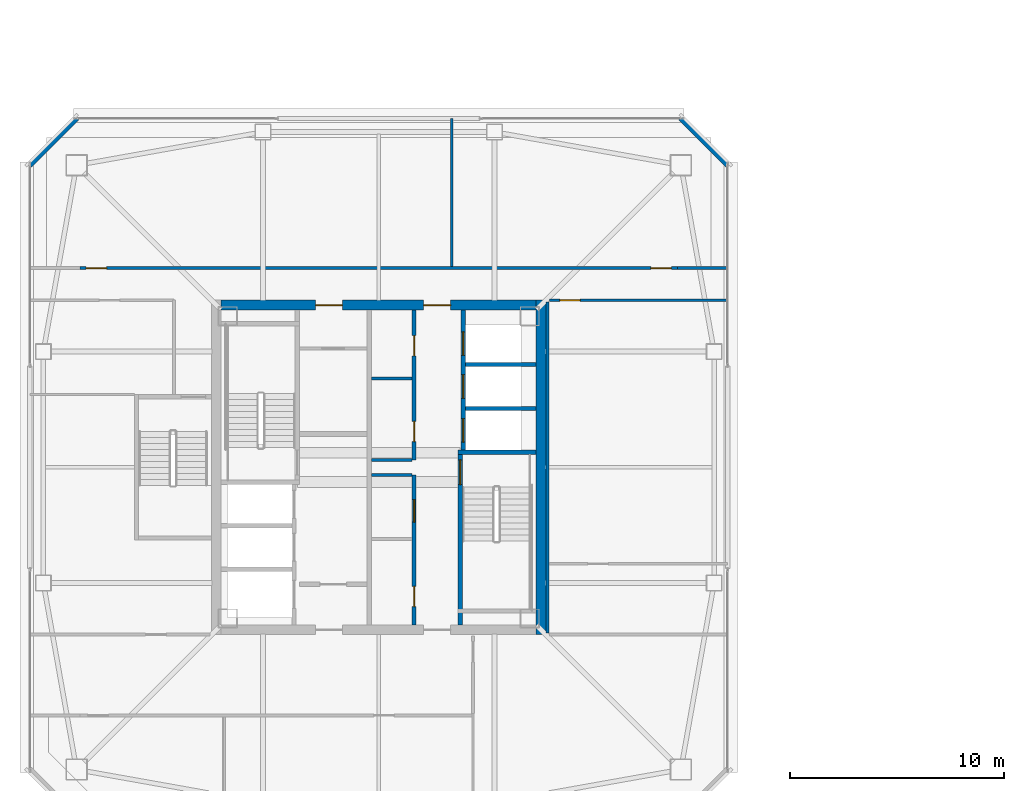
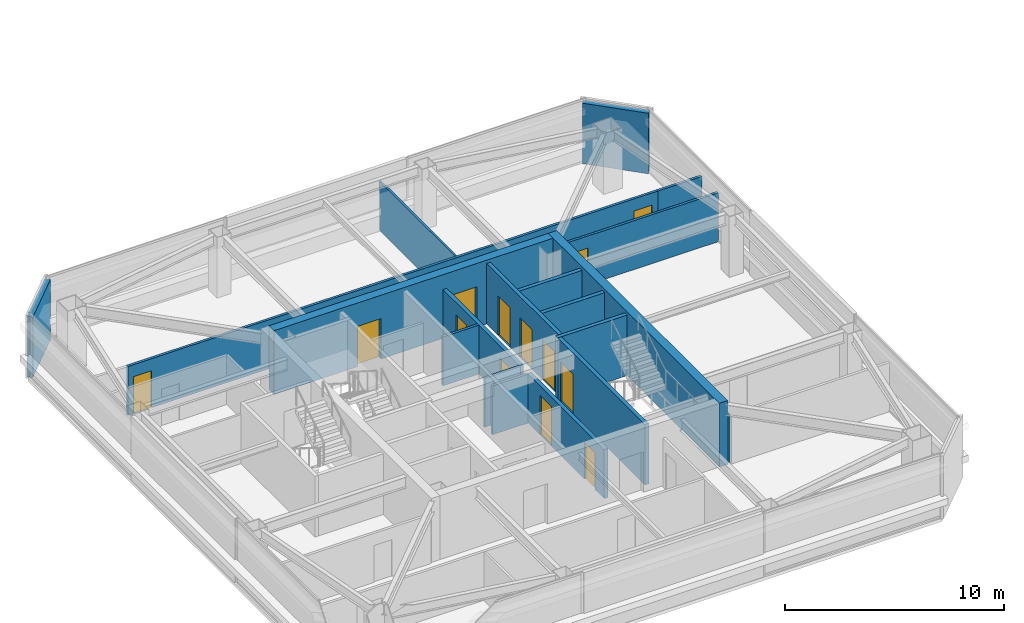
# One storey, part 30 of 39: 19 walls, 13 doors, 13 openings.
"""IFC4 building model written with IfcOpenShell, lengths in metres."""

from ifc_helpers import new_model, si_unit, direction, frame, frame_2d, origin, place, context, subcontext, project, spatial, rectangle, extrude, material, layer, layer_set, type_object, element, fill, save


model = new_model("IFC4")

# Units and contexts
model_context = context("Model", 3, precision=1e-05, world=origin(), true_north=direction((0.0, 1.0)))
body_context = subcontext(model_context, "Body", "Model", "MODEL_VIEW")
ifc_project = project(units=[si_unit("LENGTHUNIT", "METRE"), si_unit("AREAUNIT", "SQUARE_METRE"), si_unit("VOLUMEUNIT", "CUBIC_METRE"), si_unit("PLANEANGLEUNIT", "RADIAN"), si_unit("MASSUNIT", "GRAM", prefix="KILO")], contexts=[model_context])

# Site, building, storey
site_placement = place(None, origin())
site = spatial("IfcSite", under=ifc_project, at=site_placement, CompositionType="ELEMENT")
building_placement = place(site_placement, origin())
building = spatial("IfcBuilding", under=site, at=building_placement, Name="Tashvorn Skyway Center", CompositionType="ELEMENT")
storey_placement = place(building_placement, frame((0.0, 0.0, 207.75)))
storey = spatial("IfcBuildingStorey", under=building, at=storey_placement, Name="L56", CompositionType="ELEMENT", Elevation=207.75)

# Wall
ifc_material_1 = material(Name="Concrete C50/60", Category="concrete")
ifc_layer_1 = layer(ifc_material_1, 0.449951171875)
ifc_layer_set_1 = layer_set([ifc_layer_1], Name="Concrete C50/60")
wall_type_1 = type_object("IfcWallType", Name="WALL-CORE-450", PredefinedType="SHEAR", material=ifc_layer_set_1)
wall_1_placement = place(storey_placement, frame((49.574951171875, 39.800048828125, 0.0), z_axis=(0.0, 0.0, 1.0), x_axis=(0.0, -1.0, 0.0)))
element("IfcWall", 1, at=wall_1_placement, inside=storey, type_object=wall_type_1, Name="Tower 1 L56 East Core Shear Wall", PredefinedType="SHEAR", context=body_context, shape_type="SweptSolid", body=[
    extrude(rectangle(XDim=15.60009765625, YDim=0.449951171875, at=frame_2d((7.800048828125, 0.0))), origin(), (0.0, 0.0, 1.0), 3.550048828125),
])

# Wall, openings, doors
wall_2_placement = place(storey_placement, frame((34.64990234375, 39.574951171875, 0.0), z_axis=(0.0, 0.0, 1.0), x_axis=(1.0, 0.0, 0.0)))
wall_2 = element("IfcWall", 2, at=wall_2_placement, inside=storey, type_object=wall_type_1, Name="Tower 1 L56 North Core Shear Wall", PredefinedType="SHEAR", context=body_context, shape_type="SweptSolid", body=[
    extrude(rectangle(XDim=14.7001953125, YDim=0.449951171875, at=frame_2d((7.35009765625, 0.0))), origin(), (0.0, 0.0, 1.0), 3.550048828125),
])
opening_1_placement = place(wall_2_placement, frame((4.39990234375, 0.0, 0.0)))
opening_1 = element("IfcOpeningElement", 3, at=opening_1_placement, cuts=wall_2, Name="Opening D-FFL-1250", PredefinedType="OPENING", context=body_context, shape_type="SweptSolid", body=[
    extrude(rectangle(XDim=1.25, YDim=2.25, at=frame_2d((0.625, 1.125))), frame((0.0, 0.23486328125, 0.0), z_axis=(0.0, -1.0, 0.0), x_axis=(1.0, 0.0, 0.0)), (0.0, 0.0, 1.0), 0.469970703125),
])
opening_2_placement = place(wall_2_placement, frame((9.449951171875, 0.0, 0.0)))
opening_2 = element("IfcOpeningElement", 4, at=opening_2_placement, cuts=wall_2, Name="Opening D-FFL-1250", PredefinedType="OPENING", context=body_context, shape_type="SweptSolid", body=[
    extrude(rectangle(XDim=1.25, YDim=2.25, at=frame_2d((0.625, 1.125))), frame((0.0, 0.23486328125, 0.0), z_axis=(0.0, -1.0, 0.0), x_axis=(1.0, 0.0, 0.0)), (0.0, 0.0, 1.0), 0.469970703125),
])
ifc_material_2 = material(Name="Hollow galvanized steel fire door assembly", Category="steel")
door_type_1 = type_object("IfcDoorType", Name="DOOR-FFL-1250", OperationType="NOTDEFINED", PredefinedType="DOOR", material=ifc_material_2)
door_1_placement = place(opening_1_placement, origin())
door_1 = element("IfcDoor", 5, at=door_1_placement, inside=storey, type_object=door_type_1, Name="Tower 1 L56 Core North Service Lobby Door", OperationType="SINGLE_SWING_LEFT", OverallHeight=2.25, OverallWidth=1.25, PredefinedType="DOOR", context=body_context, shape_type="SweptSolid", body=[
    extrude(rectangle(XDim=1.25, YDim=2.25, at=frame_2d((0.625, 1.125))), frame((0.0, 0.02490234375, 0.0), z_axis=(0.0, -1.0, 0.0), x_axis=(1.0, 0.0, 0.0)), (0.0, 0.0, 1.0), 0.050048828125),
])
fill(opening_1, door_1)
door_2_placement = place(opening_2_placement, origin())
door_2 = element("IfcDoor", 6, at=door_2_placement, inside=storey, type_object=door_type_1, Name="Tower 1 L56 Core North Lift Lobby Door", OperationType="SINGLE_SWING_RIGHT", OverallHeight=2.25, OverallWidth=1.25, PredefinedType="DOOR", context=body_context, shape_type="SweptSolid", body=[
    extrude(rectangle(XDim=1.25, YDim=2.25, at=frame_2d((0.625, 1.125))), frame((0.0, 0.02490234375, 0.0), z_axis=(0.0, -1.0, 0.0), x_axis=(1.0, 0.0, 0.0)), (0.0, 0.0, 1.0), 0.050048828125),
])
fill(opening_2, door_2)

# Walls
ifc_material_3 = material(Name="Precast concrete C40/50", Category="concrete")
ifc_layer_2 = layer(ifc_material_3, 0.280029296875)
ifc_layer_set_2 = layer_set([ifc_layer_2], Name="Precast concrete C40/50")
wall_type_2 = type_object("IfcWallType", Name="WALL-EXT-280", PredefinedType="SOLIDWALL", material=ifc_layer_set_2)
for number, where, z_axis, x_axis, name in (
    (7, (25.699951171875, 46.10009765625, 0.0), (0.0, 0.0, 1.0), (0.707106781187, 0.707106781187, 0.0), "Tower 1 L56 NW Precast Chamfer Wall"),
    (8, (56.10009765625, 48.300048828125, 0.0), (0.0, 0.0, 1.0), (0.707106781187, -0.707106781187, 0.0), "Tower 1 L56 NE Precast Chamfer Wall"),
):
    element("IfcWall", number, at=place(storey_placement, frame(where, z_axis=z_axis, x_axis=x_axis)), inside=storey, type_object=wall_type_2, Name=name, PredefinedType="SOLIDWALL", context=body_context, shape_type="SweptSolid", body=[
        extrude(rectangle(XDim=3.111083984375, YDim=0.280029296875, at=frame_2d((1.5556640625, 0.0))), origin(), (0.0, 0.0, 1.0), 3.3701171875),
    ])
ifc_material_4 = material(Name="Gypsum board on cold-formed steel stud framing", Category="steel")
ifc_layer_3 = layer(ifc_material_4, 0.110107421875)
ifc_layer_set_3 = layer_set([ifc_layer_3], Name="Gypsum board on cold-formed steel stud framing")
wall_type_3 = type_object("IfcWallType", Name="WALL-PART-110", PredefinedType="PARTITIONING", material=ifc_layer_set_3)
wall_3_placement = place(storey_placement, frame((45.39990234375, 41.3798828125, 0.0), z_axis=(0.0, 0.0, 1.0), x_axis=(0.0, 1.0, 0.0)))
element("IfcWall", 9, at=wall_3_placement, inside=storey, type_object=wall_type_3, Name="Tower 1 L56 North Suite Partition 1", PredefinedType="PARTITIONING", context=body_context, shape_type="SweptSolid", body=[
    extrude(rectangle(XDim=6.900146484375, YDim=0.110107421875, at=frame_2d((3.4501953125, 0.0))), origin(), (0.0, 0.0, 1.0), 2.722900390625),
])

# Wall, openings, doors
ifc_layer_4 = layer(ifc_material_4, 0.135009765625)
ifc_layer_set_4 = layer_set([ifc_layer_4], Name="Gypsum board on cold-formed steel stud framing")
wall_type_4 = type_object("IfcWallType", Name="WALL-PART-135", PredefinedType="PARTITIONING", material=ifc_layer_set_4)
wall_4_placement = place(storey_placement, frame((28.050048828125, 41.300048828125, 0.0), z_axis=(0.0, 0.0, 1.0), x_axis=(1.0, 0.0, 0.0)))
wall_4 = element("IfcWall", 10, at=wall_4_placement, inside=storey, type_object=wall_type_4, Name="Tower 1 L56 North Suite Wall", PredefinedType="PARTITIONING", context=body_context, shape_type="SweptSolid", body=[
    extrude(rectangle(XDim=27.89990234375, YDim=0.135009765625, at=frame_2d((13.949951171875, 0.0))), origin(), (0.0, 0.0, 1.0), 2.722900390625),
])
opening_3_placement = place(wall_4_placement, frame((0.300048828125, 0.0, 0.0)))
opening_3 = element("IfcOpeningElement", 11, at=opening_3_placement, cuts=wall_4, Name="Opening D-INT-950", PredefinedType="OPENING", context=body_context, shape_type="SweptSolid", body=[
    extrude(rectangle(XDim=0.949951171875, YDim=2.050048828125, at=frame_2d((0.47509765625, 1.02490234375))), frame((0.0, 0.077392578125, 0.0), z_axis=(0.0, -1.0, 0.0), x_axis=(1.0, 0.0, 0.0)), (0.0, 0.0, 1.0), 0.155029296875),
])
opening_4_placement = place(wall_4_placement, frame((26.64990234375, 0.0, 0.0)))
opening_4 = element("IfcOpeningElement", 12, at=opening_4_placement, cuts=wall_4, Name="Opening D-INT-950", PredefinedType="OPENING", context=body_context, shape_type="SweptSolid", body=[
    extrude(rectangle(XDim=0.949951171875, YDim=2.050048828125, at=frame_2d((0.47509765625, 1.02490234375))), frame((0.0, 0.077392578125, 0.0), z_axis=(0.0, -1.0, 0.0), x_axis=(1.0, 0.0, 0.0)), (0.0, 0.0, 1.0), 0.155029296875),
])
ifc_material_5 = material(Name="Solid-core architectural oak veneer door")
door_type_2 = type_object("IfcDoorType", Name="DOOR-INT-950", OperationType="NOTDEFINED", PredefinedType="DOOR", material=ifc_material_5)
door_3_placement = place(opening_3_placement, origin())
door_3 = element("IfcDoor", 13, at=door_3_placement, inside=storey, type_object=door_type_2, Name="Tower 1 L56 Wellness Clinic Door", OperationType="SINGLE_SWING_LEFT", OverallHeight=2.050048828125, OverallWidth=0.949951171875, PredefinedType="DOOR", context=body_context, shape_type="SweptSolid", body=[
    extrude(rectangle(XDim=0.949951171875, YDim=2.050048828125, at=frame_2d((0.47509765625, 1.02490234375))), frame((0.0, 0.02490234375, 0.0), z_axis=(0.0, -1.0, 0.0), x_axis=(1.0, 0.0, 0.0)), (0.0, 0.0, 1.0), 0.050048828125),
])
fill(opening_3, door_3)
door_4_placement = place(opening_4_placement, origin())
door_4 = element("IfcDoor", 14, at=door_4_placement, inside=storey, type_object=door_type_2, Name="Tower 1 L56 Wellness Clinic Door", OperationType="SINGLE_SWING_RIGHT", OverallHeight=2.050048828125, OverallWidth=0.949951171875, PredefinedType="DOOR", context=body_context, shape_type="SweptSolid", body=[
    extrude(rectangle(XDim=0.949951171875, YDim=2.050048828125, at=frame_2d((0.47509765625, 1.02490234375))), frame((0.0, 0.02490234375, 0.0), z_axis=(0.0, -1.0, 0.0), x_axis=(1.0, 0.0, 0.0)), (0.0, 0.0, 1.0), 0.050048828125),
])
fill(opening_4, door_4)

# Walls
wall_5_placement = place(storey_placement, frame((55.949951171875, 41.300048828125, 0.0), z_axis=(0.0, 0.0, 1.0), x_axis=(1.0, 0.0, 0.0)))
element("IfcWall", 15, at=wall_5_placement, inside=storey, type_object=wall_type_4, Name="Tower 1 L56 North-East Suite South Wall", PredefinedType="PARTITIONING", context=body_context, shape_type="SweptSolid", body=[
    extrude(rectangle(XDim=2.330078125, YDim=0.135009765625, at=frame_2d((1.1650390625, 0.0))), origin(), (0.0, 0.0, 1.0), 2.722900390625),
])
wall_6_placement = place(storey_placement, frame((49.8798828125, 39.719970703125, 0.0), z_axis=(0.0, 0.0, 1.0), x_axis=(0.0, -1.0, 0.0)))
element("IfcWall", 16, at=wall_6_placement, inside=storey, type_object=wall_type_4, Name="Tower 1 L56 East Inner Suite Wall", PredefinedType="PARTITIONING", context=body_context, shape_type="SweptSolid", body=[
    extrude(rectangle(XDim=15.43994140625, YDim=0.135009765625, at=frame_2d((7.719970703125, 0.0))), origin(), (0.0, 0.0, 1.0), 2.722900390625),
])

# Wall, opening, door
wall_7_placement = place(storey_placement, frame((58.280029296875, 39.800048828125, 0.0), z_axis=(0.0, 0.0, 1.0), x_axis=(-1.0, 0.0, 0.0)))
wall_7 = element("IfcWall", 17, at=wall_7_placement, inside=storey, type_object=wall_type_4, Name="Tower 1 L56 East Suite North Wall", PredefinedType="PARTITIONING", context=body_context, shape_type="SweptSolid", body=[
    extrude(rectangle(XDim=8.320068359375, YDim=0.135009765625, at=frame_2d((4.16015625, 0.0))), origin(), (0.0, 0.0, 1.0), 2.722900390625),
])
opening_5_placement = place(wall_7_placement, frame((6.8798828125, 0.0, 0.0)))
opening_5 = element("IfcOpeningElement", 18, at=opening_5_placement, cuts=wall_7, Name="Opening D-INT-950", PredefinedType="OPENING", context=body_context, shape_type="SweptSolid", body=[
    extrude(rectangle(XDim=0.949951171875, YDim=2.050048828125, at=frame_2d((0.47509765625, 1.02490234375))), frame((0.0, 0.077392578125, 0.0), z_axis=(0.0, -1.0, 0.0), x_axis=(1.0, 0.0, 0.0)), (0.0, 0.0, 1.0), 0.155029296875),
])
door_5_placement = place(opening_5_placement, origin())
door_5 = element("IfcDoor", 19, at=door_5_placement, inside=storey, type_object=door_type_2, Name="Tower 1 L56 Operations Control Room Door", OperationType="SINGLE_SWING_RIGHT", OverallHeight=2.050048828125, OverallWidth=0.949951171875, PredefinedType="DOOR", context=body_context, shape_type="SweptSolid", body=[
    extrude(rectangle(XDim=0.949951171875, YDim=2.050048828125, at=frame_2d((0.47509765625, 1.02490234375))), frame((0.0, 0.02490234375, 0.0), z_axis=(0.0, -1.0, 0.0), x_axis=(1.0, 0.0, 0.0)), (0.0, 0.0, 1.0), 0.050048828125),
])
fill(opening_5, door_5)

# Walls
ifc_layer_5 = layer(ifc_material_4, 0.135009765625)
ifc_layer_set_5 = layer_set([ifc_layer_5], Name="Gypsum board on cold-formed steel stud framing")
wall_type_5 = type_object("IfcWallType", Name="WALL-RATED-135", PredefinedType="PARTITIONING", material=ifc_layer_set_5)
for number, where, z_axis, x_axis, name in (
    (20, (41.669921875, 31.64990234375, 0.0), (0.0, 0.0, 1.0), (1.0, 0.0, 0.0), "Tower 1 L56 Core Room Partition"),
    (21, (41.669921875, 32.35009765625, 0.0), (0.0, 0.0, 1.0), (1.0, 0.0, 0.0), "Tower 1 L56 Core Room Partition"),
    (22, (41.669921875, 36.14990234375, 0.0), (0.0, 0.0, 1.0), (1.0, 0.0, 0.0), "Tower 1 L56 Freed Mid-Rise Partition"),
):
    element("IfcWall", number, at=place(storey_placement, frame(where, z_axis=z_axis, x_axis=x_axis)), inside=storey, type_object=wall_type_5, Name=name, PredefinedType="PARTITIONING", context=body_context, shape_type="SweptSolid", body=[
        extrude(rectangle(XDim=1.880126953125, YDim=0.135009765625, at=frame_2d((0.93994140625, 0.0))), origin(), (0.0, 0.0, 1.0), 2.722900390625),
    ])
ifc_material_6 = material(Name="Concrete C40/50", Category="concrete")
ifc_layer_6 = layer(ifc_material_6, 0.199951171875)
ifc_layer_set_6 = layer_set([ifc_layer_6], Name="Concrete C40/50")
wall_type_6 = type_object("IfcWallType", Name="WALL-SHAFT-200", PredefinedType="SOLIDWALL", material=ifc_layer_set_6)
for number, where, z_axis, x_axis, name in (
    (23, (46.050048828125, 34.75, 0.0), (0.0, 0.0, 1.0), (1.0, 0.0, 0.0), "Tower 1 L56 High-Rise Shaft Divider"),
    (24, (46.050048828125, 36.800048828125, 0.0), (0.0, 0.0, 1.0), (1.0, 0.0, 0.0), "Tower 1 L56 High-Rise Shaft Divider"),
):
    element("IfcWall", number, at=place(storey_placement, frame(where, z_axis=z_axis, x_axis=x_axis)), inside=storey, type_object=wall_type_6, Name=name, PredefinedType="SOLIDWALL", context=body_context, shape_type="SweptSolid", body=[
        extrude(rectangle(XDim=3.300048828125, YDim=0.199951171875, at=frame_2d((1.64990234375, 0.0))), origin(), (0.0, 0.0, 1.0), 3.3701171875),
    ])

# Wall, openings, doors
wall_8_placement = place(storey_placement, frame((43.64990234375, 24.64990234375, 0.0), z_axis=(0.0, 0.0, 1.0), x_axis=(0.0, 1.0, 0.0)))
wall_8 = element("IfcWall", 25, at=wall_8_placement, inside=storey, type_object=wall_type_6, Name="Tower 1 L56 Low-Rise Core Wall", PredefinedType="SOLIDWALL", context=body_context, shape_type="SweptSolid", body=[
    extrude(rectangle(XDim=7.0, YDim=0.199951171875, at=frame_2d((3.5, 0.0))), origin(), (0.0, 0.0, 1.0), 2.722900390625),
])
opening_6_placement = place(wall_8_placement, frame((0.85009765625, 0.0, 0.0)))
opening_6 = element("IfcOpeningElement", 26, at=opening_6_placement, cuts=wall_8, Name="Opening D-RT-950", PredefinedType="OPENING", context=body_context, shape_type="SweptSolid", body=[
    extrude(rectangle(XDim=0.949951171875, YDim=2.050048828125, at=frame_2d((0.47509765625, 1.02490234375))), frame((0.0, 0.10986328125, 0.0), z_axis=(0.0, -1.0, 0.0), x_axis=(1.0, 0.0, 0.0)), (0.0, 0.0, 1.0), 0.219970703125),
])
opening_7_placement = place(wall_8_placement, frame((4.800048828125, 0.0, 0.0)))
opening_7 = element("IfcOpeningElement", 27, at=opening_7_placement, cuts=wall_8, Name="Opening D-RT-1050", PredefinedType="OPENING", context=body_context, shape_type="SweptSolid", body=[
    extrude(rectangle(XDim=1.050048828125, YDim=2.199951171875, at=frame_2d((0.52490234375, 1.10009765625))), frame((0.0, 0.10986328125, 0.0), z_axis=(0.0, -1.0, 0.0), x_axis=(1.0, 0.0, 0.0)), (0.0, 0.0, 1.0), 0.219970703125),
])
door_type_3 = type_object("IfcDoorType", Name="DOOR-RATED-1050", OperationType="NOTDEFINED", PredefinedType="DOOR", material=ifc_material_2)
door_6_placement = place(opening_7_placement, origin())
door_6 = element("IfcDoor", 28, at=door_6_placement, inside=storey, type_object=door_type_3, Name="Tower 1 L56 Freed Core Room Door", OperationType="SINGLE_SWING_RIGHT", OverallHeight=2.199951171875, OverallWidth=1.050048828125, PredefinedType="DOOR", context=body_context, shape_type="SweptSolid", body=[
    extrude(rectangle(XDim=1.050048828125, YDim=2.199951171875, at=frame_2d((0.52490234375, 1.10009765625))), frame((0.0, 0.02490234375, 0.0), z_axis=(0.0, -1.0, 0.0), x_axis=(1.0, 0.0, 0.0)), (0.0, 0.0, 1.0), 0.050048828125),
])
fill(opening_7, door_6)
door_type_4 = type_object("IfcDoorType", Name="DOOR-RATED-950", OperationType="NOTDEFINED", PredefinedType="DOOR", material=ifc_material_2)
door_7_placement = place(opening_6_placement, origin())
door_7 = element("IfcDoor", 29, at=door_7_placement, inside=storey, type_object=door_type_4, Name="Tower 1 L56 Core Print Room Door", OperationType="SINGLE_SWING_LEFT", OverallHeight=2.050048828125, OverallWidth=0.949951171875, PredefinedType="DOOR", context=body_context, shape_type="SweptSolid", body=[
    extrude(rectangle(XDim=0.949951171875, YDim=2.050048828125, at=frame_2d((0.47509765625, 1.02490234375))), frame((0.0, 0.02490234375, 0.0), z_axis=(0.0, -1.0, 0.0), x_axis=(1.0, 0.0, 0.0)), (0.0, 0.0, 1.0), 0.050048828125),
])
fill(opening_6, door_7)

wall_9_placement = place(storey_placement, frame((43.64990234375, 32.35009765625, 0.0), z_axis=(0.0, 0.0, 1.0), x_axis=(0.0, 1.0, 0.0)))
wall_9 = element("IfcWall", 30, at=wall_9_placement, inside=storey, type_object=wall_type_6, Name="Tower 1 L56 Mid-Rise Core Wall", PredefinedType="SOLIDWALL", context=body_context, shape_type="SweptSolid", body=[
    extrude(rectangle(XDim=7.0, YDim=0.199951171875, at=frame_2d((3.5, 0.0))), origin(), (0.0, 0.0, 1.0), 2.722900390625),
])
opening_8_placement = place(wall_9_placement, frame((0.85009765625, 0.0, 0.0)))
opening_8 = element("IfcOpeningElement", 31, at=opening_8_placement, cuts=wall_9, Name="Opening D-RT-950", PredefinedType="OPENING", context=body_context, shape_type="SweptSolid", body=[
    extrude(rectangle(XDim=0.949951171875, YDim=2.050048828125, at=frame_2d((0.47509765625, 1.02490234375))), frame((0.0, 0.10986328125, 0.0), z_axis=(0.0, -1.0, 0.0), x_axis=(1.0, 0.0, 0.0)), (0.0, 0.0, 1.0), 0.219970703125),
])
opening_9_placement = place(wall_9_placement, frame((4.85009765625, 0.0, 0.0)))
opening_9 = element("IfcOpeningElement", 32, at=opening_9_placement, cuts=wall_9, Name="Opening D-RT-950", PredefinedType="OPENING", context=body_context, shape_type="SweptSolid", body=[
    extrude(rectangle(XDim=0.949951171875, YDim=2.050048828125, at=frame_2d((0.47509765625, 1.02490234375))), frame((0.0, 0.10986328125, 0.0), z_axis=(0.0, -1.0, 0.0), x_axis=(1.0, 0.0, 0.0)), (0.0, 0.0, 1.0), 0.219970703125),
])
door_8_placement = place(opening_8_placement, origin())
door_8 = element("IfcDoor", 33, at=door_8_placement, inside=storey, type_object=door_type_4, Name="Tower 1 L56 Core IT Room Door", OperationType="SINGLE_SWING_RIGHT", OverallHeight=2.050048828125, OverallWidth=0.949951171875, PredefinedType="DOOR", context=body_context, shape_type="SweptSolid", body=[
    extrude(rectangle(XDim=0.949951171875, YDim=2.050048828125, at=frame_2d((0.47509765625, 1.02490234375))), frame((0.0, 0.02490234375, 0.0), z_axis=(0.0, -1.0, 0.0), x_axis=(1.0, 0.0, 0.0)), (0.0, 0.0, 1.0), 0.050048828125),
])
fill(opening_8, door_8)
door_9_placement = place(opening_9_placement, origin())
door_9 = element("IfcDoor", 34, at=door_9_placement, inside=storey, type_object=door_type_4, Name="Tower 1 L56 Core Catering Pantry Door", OperationType="SINGLE_SWING_LEFT", OverallHeight=2.050048828125, OverallWidth=0.949951171875, PredefinedType="DOOR", context=body_context, shape_type="SweptSolid", body=[
    extrude(rectangle(XDim=0.949951171875, YDim=2.050048828125, at=frame_2d((0.47509765625, 1.02490234375))), frame((0.0, 0.02490234375, 0.0), z_axis=(0.0, -1.0, 0.0), x_axis=(1.0, 0.0, 0.0)), (0.0, 0.0, 1.0), 0.050048828125),
])
fill(opening_9, door_9)

# Wall, opening, door
ifc_layer_7 = layer(ifc_material_6, 0.199951171875)
ifc_layer_set_7 = layer_set([ifc_layer_7], Name="Concrete C40/50")
wall_type_7 = type_object("IfcWallType", Name="WALL-STSHF-200", PredefinedType="SHEAR", material=ifc_layer_set_7)
wall_10_placement = place(storey_placement, frame((45.800048828125, 32.800048828125, 0.0), z_axis=(0.0, 0.0, 1.0), x_axis=(0.0, -1.0, 0.0)))
wall_10 = element("IfcWall", 35, at=wall_10_placement, inside=storey, type_object=wall_type_7, Name="Tower 1 L56 Stair 2 Enclosure Wall", PredefinedType="SHEAR", context=body_context, shape_type="SweptSolid", body=[
    extrude(rectangle(XDim=8.150146484375, YDim=0.199951171875, at=frame_2d((4.0751953125, 0.0))), origin(), (0.0, 0.0, 1.0), 3.3701171875),
])
opening_10_placement = place(wall_10_placement, frame((0.449951171875, 0.0, 0.0)))
opening_10 = element("IfcOpeningElement", 36, at=opening_10_placement, cuts=wall_10, Name="Opening D-ST-1150", PredefinedType="OPENING", context=body_context, shape_type="SweptSolid", body=[
    extrude(rectangle(XDim=1.14990234375, YDim=2.199951171875, at=frame_2d((0.574951171875, 1.10009765625))), frame((0.0, 0.10986328125, 0.0), z_axis=(0.0, -1.0, 0.0), x_axis=(1.0, 0.0, 0.0)), (0.0, 0.0, 1.0), 0.219970703125),
])
door_type_5 = type_object("IfcDoorType", Name="DOOR-STAIR-1150", OperationType="NOTDEFINED", PredefinedType="DOOR", material=ifc_material_2)
door_10_placement = place(opening_10_placement, origin())
door_10 = element("IfcDoor", 37, at=door_10_placement, inside=storey, type_object=door_type_5, Name="Tower 1 L56 Exit Stair 2 Door", OperationType="SINGLE_SWING_RIGHT", OverallHeight=2.199951171875, OverallWidth=1.14990234375, PredefinedType="DOOR", context=body_context, shape_type="SweptSolid", body=[
    extrude(rectangle(XDim=1.14990234375, YDim=2.199951171875, at=frame_2d((0.574951171875, 1.10009765625))), frame((0.0, 0.02490234375, 0.0), z_axis=(0.0, -1.0, 0.0), x_axis=(1.0, 0.0, 0.0)), (0.0, 0.0, 1.0), 0.050048828125),
])
fill(opening_10, door_10)

# Wall
wall_11_placement = place(storey_placement, frame((45.699951171875, 32.699951171875, 0.0), z_axis=(0.0, 0.0, 1.0), x_axis=(1.0, 0.0, 0.0)))
element("IfcWall", 38, at=wall_11_placement, inside=storey, type_object=wall_type_7, Name="Tower 1 L56 Stair 2 North Wall", PredefinedType="SHEAR", context=body_context, shape_type="SweptSolid", body=[
    extrude(rectangle(XDim=3.650146484375, YDim=0.199951171875, at=frame_2d((1.8251953125, 0.0))), origin(), (0.0, 0.0, 1.0), 3.3701171875),
])

# Wall, openings, doors
wall_12_placement = place(storey_placement, frame((45.949951171875, 39.35009765625, 0.0), z_axis=(0.0, 0.0, 1.0), x_axis=(0.0, -1.0, 0.0)))
wall_12 = element("IfcWall", 39, at=wall_12_placement, inside=storey, type_object=wall_type_7, Name="Tower 1 L56 High-Rise Lift Shaft Front Wall", PredefinedType="SHEAR", context=body_context, shape_type="SweptSolid", body=[
    extrude(rectangle(XDim=6.550048828125, YDim=0.199951171875, at=frame_2d((3.27490234375, 0.0))), origin(), (0.0, 0.0, 1.0), 3.3701171875),
])
opening_11_placement = place(wall_12_placement, frame((5.074951171875, 0.0, 0.0)))
opening_11 = element("IfcOpeningElement", 40, at=opening_11_placement, cuts=wall_12, Name="Opening LD-HR-T1-1-L56", PredefinedType="OPENING", context=body_context, shape_type="SweptSolid", body=[
    extrude(rectangle(XDim=1.10009765625, YDim=2.199951171875, at=frame_2d((0.550048828125, 1.10009765625))), frame((0.0, 0.10986328125, 0.0), z_axis=(0.0, -1.0, 0.0), x_axis=(1.0, 0.0, 0.0)), (0.0, 0.0, 1.0), 0.219970703125),
])
opening_12_placement = place(wall_12_placement, frame((3.02490234375, 0.0, 0.0)))
opening_12 = element("IfcOpeningElement", 41, at=opening_12_placement, cuts=wall_12, Name="Opening LD-HR-T1-2-L56", PredefinedType="OPENING", context=body_context, shape_type="SweptSolid", body=[
    extrude(rectangle(XDim=1.10009765625, YDim=2.199951171875, at=frame_2d((0.550048828125, 1.10009765625))), frame((0.0, 0.10986328125, 0.0), z_axis=(0.0, -1.0, 0.0), x_axis=(1.0, 0.0, 0.0)), (0.0, 0.0, 1.0), 0.219970703125),
])
opening_13_placement = place(wall_12_placement, frame((1.02490234375, 0.0, 0.0)))
opening_13 = element("IfcOpeningElement", 42, at=opening_13_placement, cuts=wall_12, Name="Opening LD-HR-T1-3-L56", PredefinedType="OPENING", context=body_context, shape_type="SweptSolid", body=[
    extrude(rectangle(XDim=1.10009765625, YDim=2.199951171875, at=frame_2d((0.550048828125, 1.10009765625))), frame((0.0, 0.10986328125, 0.0), z_axis=(0.0, -1.0, 0.0), x_axis=(1.0, 0.0, 0.0)), (0.0, 0.0, 1.0), 0.219970703125),
])
ifc_material_7 = material(Name="Stainless steel landing door", Category="steel")
door_type_6 = type_object("IfcDoorType", Name="DOOR-LIFT-1100", OperationType="SLIDING_TO_LEFT", PredefinedType="DOOR", material=ifc_material_7)
door_11_placement = place(opening_11_placement, origin())
door_11 = element("IfcDoor", 43, at=door_11_placement, inside=storey, type_object=door_type_6, Name="Lift HR-T1-1 L56 Landing Door", OperationType="SLIDING_TO_LEFT", OverallHeight=2.199951171875, OverallWidth=1.10009765625, PredefinedType="DOOR", context=body_context, shape_type="SweptSolid", body=[
    extrude(rectangle(XDim=1.10009765625, YDim=2.199951171875, at=frame_2d((0.550048828125, 1.10009765625))), frame((0.0, 0.02490234375, 0.0), z_axis=(0.0, -1.0, 0.0), x_axis=(1.0, 0.0, 0.0)), (0.0, 0.0, 1.0), 0.050048828125),
])
fill(opening_11, door_11)
door_12_placement = place(opening_12_placement, origin())
door_12 = element("IfcDoor", 44, at=door_12_placement, inside=storey, type_object=door_type_6, Name="Lift HR-T1-2 L56 Landing Door", OperationType="SLIDING_TO_LEFT", OverallHeight=2.199951171875, OverallWidth=1.10009765625, PredefinedType="DOOR", context=body_context, shape_type="SweptSolid", body=[
    extrude(rectangle(XDim=1.10009765625, YDim=2.199951171875, at=frame_2d((0.550048828125, 1.10009765625))), frame((0.0, 0.02490234375, 0.0), z_axis=(0.0, -1.0, 0.0), x_axis=(1.0, 0.0, 0.0)), (0.0, 0.0, 1.0), 0.050048828125),
])
fill(opening_12, door_12)
door_13_placement = place(opening_13_placement, origin())
door_13 = element("IfcDoor", 45, at=door_13_placement, inside=storey, type_object=door_type_6, Name="Lift HR-T1-3 L56 Landing Door", OperationType="SLIDING_TO_LEFT", OverallHeight=2.199951171875, OverallWidth=1.10009765625, PredefinedType="DOOR", context=body_context, shape_type="SweptSolid", body=[
    extrude(rectangle(XDim=1.10009765625, YDim=2.199951171875, at=frame_2d((0.550048828125, 1.10009765625))), frame((0.0, 0.02490234375, 0.0), z_axis=(0.0, -1.0, 0.0), x_axis=(1.0, 0.0, 0.0)), (0.0, 0.0, 1.0), 0.050048828125),
])
fill(opening_13, door_13)

save(model, "model.ifc")
